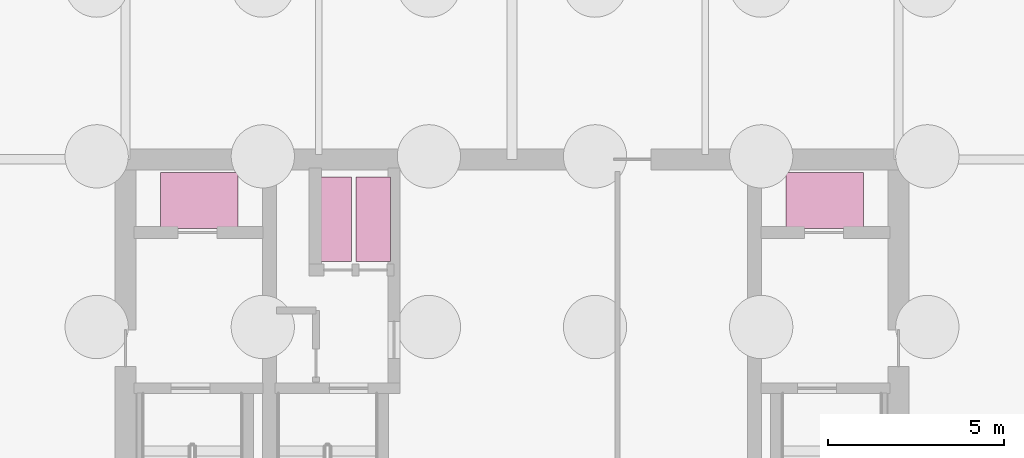
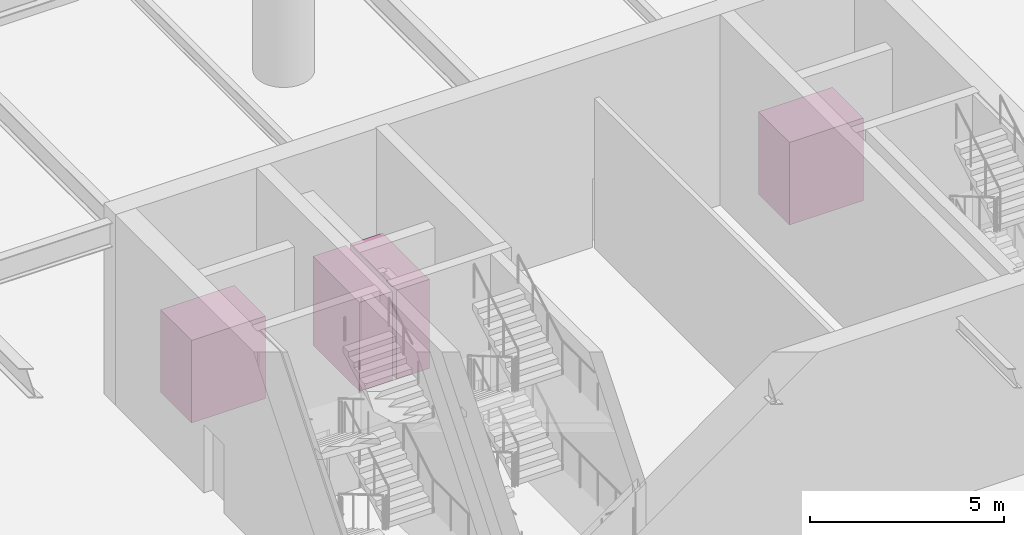
# One storey, part 12 of 12: 4 transport elements.
"""IFC4 building model written with IfcOpenShell, lengths in metres."""

from ifc_helpers import new_model, si_unit, direction, frame, origin, origin_2d, place, context, subcontext, project, spatial, rectangle, extrude, material, type_object, element, save


model = new_model("IFC4")

# Units and contexts
model_context = context("Model", 3, precision=1e-05, world=origin(), true_north=direction((0.0, 1.0)))
body_context = subcontext(model_context, "Body", "Model", "MODEL_VIEW")
ifc_project = project(units=[si_unit("LENGTHUNIT", "METRE"), si_unit("AREAUNIT", "SQUARE_METRE"), si_unit("VOLUMEUNIT", "CUBIC_METRE"), si_unit("PLANEANGLEUNIT", "RADIAN"), si_unit("MASSUNIT", "GRAM", prefix="KILO")], contexts=[model_context])

# Site, building, storey
site_placement = place(None, origin())
site = spatial("IfcSite", under=ifc_project, at=site_placement, CompositionType="ELEMENT")
building_placement = place(site_placement, origin())
building = spatial("IfcBuilding", under=site, at=building_placement, Name="Bramvorn Convention Spire", CompositionType="ELEMENT")
storey_placement = place(building_placement, frame((0.0, 0.0, -6.0)))
storey = spatial("IfcBuildingStorey", under=building, at=storey_placement, Name="B1", CompositionType="ELEMENT", Elevation=-6.0)

# Transport elements
ifc_material = material(Name="Stainless Steel & Champagne Bronze Elevator Cab", Category="steel")
transport_element_type_1 = type_object("IfcTransportElementType", Name="LFT-FE1", PredefinedType="ELEVATOR", material=ifc_material)
transport_element_1_placement = place(storey_placement, frame((29.10009765625, 32.030029296875, 0.0), z_axis=(0.0, 0.0, 1.0), x_axis=(1.0, 0.0, 0.0)))
element("IfcTransportElement", 1, at=transport_element_1_placement, inside=storey, type_object=transport_element_type_1, Name="Firefighting Elevator FE1", PredefinedType="ELEVATOR", context=body_context, shape_type="SweptSolid", body=[
    extrude(rectangle(XDim=2.199951171875, YDim=1.60009765625, at=origin_2d()), origin(), (0.0, 0.0, 1.0), 2.60009765625),
])
transport_element_type_2 = type_object("IfcTransportElementType", Name="LFT-FE2", PredefinedType="ELEVATOR", material=ifc_material)
transport_element_2_placement = place(storey_placement, frame((46.89990234375, 32.030029296875, 0.0), z_axis=(0.0, 0.0, 1.0), x_axis=(1.0, 0.0, 0.0)))
element("IfcTransportElement", 2, at=transport_element_2_placement, inside=storey, type_object=transport_element_type_2, Name="Firefighting Elevator FE2", PredefinedType="ELEVATOR", context=body_context, shape_type="SweptSolid", body=[
    extrude(rectangle(XDim=2.199951171875, YDim=1.60009765625, at=origin_2d()), origin(), (0.0, 0.0, 1.0), 2.60009765625),
])
transport_element_type_3 = type_object("IfcTransportElementType", Name="LFT-SV1", PredefinedType="ELEVATOR", material=ifc_material)
transport_element_3_placement = place(storey_placement, frame((32.949951171875, 31.5, 0.0), z_axis=(0.0, 0.0, 1.0), x_axis=(1.0, 0.0, 0.0)))
element("IfcTransportElement", 3, at=transport_element_3_placement, inside=storey, type_object=transport_element_type_3, Name="Service Elevator SV1", PredefinedType="ELEVATOR", context=body_context, shape_type="SweptSolid", body=[
    extrude(rectangle(XDim=0.97998046875, YDim=2.39990234375, at=origin_2d()), origin(), (0.0, 0.0, 1.0), 2.800048828125),
])
transport_element_type_4 = type_object("IfcTransportElementType", Name="LFT-SV2", PredefinedType="ELEVATOR", material=ifc_material)
transport_element_4_placement = place(storey_placement, frame((34.050048828125, 31.5, 0.0), z_axis=(0.0, 0.0, 1.0), x_axis=(1.0, 0.0, 0.0)))
element("IfcTransportElement", 4, at=transport_element_4_placement, inside=storey, type_object=transport_element_type_4, Name="Service Elevator SV2", PredefinedType="ELEVATOR", context=body_context, shape_type="SweptSolid", body=[
    extrude(rectangle(XDim=0.97998046875, YDim=2.39990234375, at=origin_2d()), origin(), (0.0, 0.0, 1.0), 2.800048828125),
])

save(model, "model.ifc")
